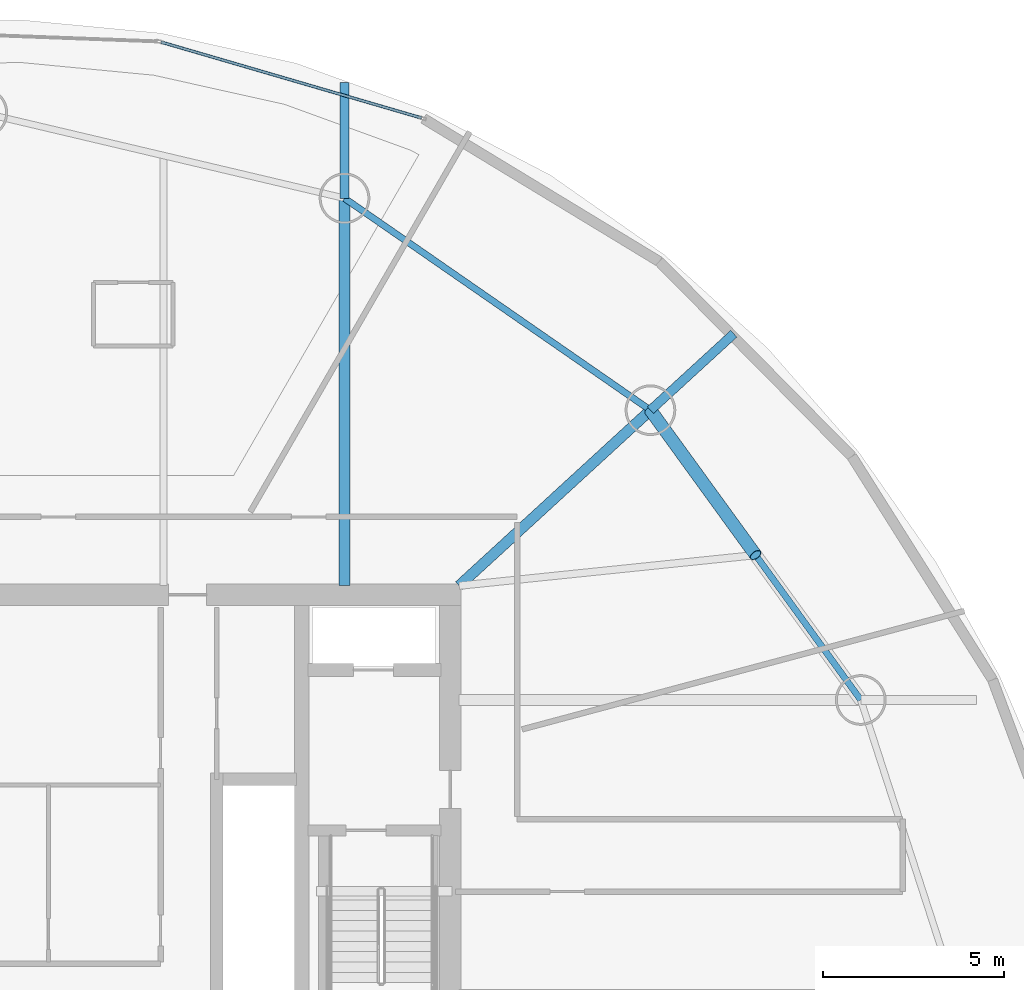
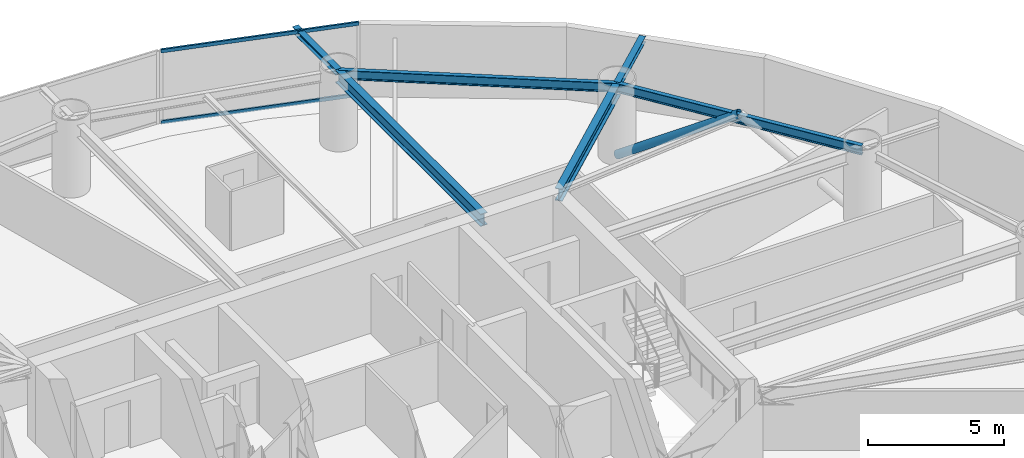
# One storey, part 14 of 22: 6 beams, 3 members, 1 element without a shape of its own.
"""IFC4 building model written with IfcOpenShell, lengths in metres."""

from ifc_helpers import new_model, si_unit, direction, frame, origin, origin_2d, place, context, subcontext, project, spatial, hollow_rectangle, hollow_circle, i_section, extrude, material, layer, layer_set, material_profile, profile_set, type_object, element, aggregate, save


model = new_model("IFC4")

# Units and contexts
model_context = context("Model", 3, precision=1e-05, world=origin(), true_north=direction((0.0, 1.0)))
body_context = subcontext(model_context, "Body", "Model", "MODEL_VIEW")
ifc_project = project(units=[si_unit("LENGTHUNIT", "METRE"), si_unit("AREAUNIT", "SQUARE_METRE"), si_unit("VOLUMEUNIT", "CUBIC_METRE"), si_unit("PLANEANGLEUNIT", "RADIAN"), si_unit("MASSUNIT", "GRAM", prefix="KILO")], contexts=[model_context])

# Site, building, storey
site_placement = place(None, origin())
site = spatial("IfcSite", under=ifc_project, at=site_placement, CompositionType="ELEMENT")
building_placement = place(site_placement, origin())
building = spatial("IfcBuilding", under=site, at=building_placement, Name="Bramvorn Convention Spire", CompositionType="ELEMENT")
storey_placement = place(building_placement, frame((0.0, 0.0, 127.300048828125)))
storey = spatial("IfcBuildingStorey", under=building, at=storey_placement, Name="L31", CompositionType="ELEMENT", Elevation=127.300048828125)

# Beams
ifc_material_1 = material(Name="Steel CSA G40.21 Grade 350 (350W)", Category="steel")
ifc_material_profile_1 = material_profile(ifc_material_1, i_section(OverallWidth=0.25390625, OverallDepth=0.2529296875, WebThickness=0.008544921875, FlangeThickness=0.01416015625, FilletRadius=0.011962890625, at=origin_2d()))
ifc_profile_set_1 = profile_set([ifc_material_profile_1], Name="Steel CSA G40.21 Grade 350 (350W) - W250X73")
beam_type_1 = type_object("IfcBeamType", Name="BM-W250X73", PredefinedType="BEAM", material=ifc_profile_set_1)
beam_1_placement = place(storey_placement, frame((54.534912109375, 38.299072265625, 3.133544921875), z_axis=(0.736849176292, 0.676057165777, 0.0), x_axis=(-0.676057165777, 0.736849176292, 0.0)))
element("IfcBeam", 1, at=beam_1_placement, inside=storey, type_object=beam_type_1, Name="L31 slab-edge cantilever tip beam MC04", PredefinedType="BEAM", context=body_context, shape_type="SweptSolid", body=[
    extrude(i_section(OverallWidth=0.25390625, OverallDepth=0.2529296875, WebThickness=0.008544921875, FlangeThickness=0.01416015625, FilletRadius=0.011962890625, at=origin_2d()), origin(), (0.0, 0.0, 1.0), 3.12451171875),
])
beam_2_placement = place(storey_placement, frame((46.082763671875, 44.154052734375, 3.133544921875), z_axis=(0.0, 1.0, 0.0), x_axis=(-1.0, 0.0, 0.0)))
element("IfcBeam", 2, at=beam_2_placement, inside=storey, type_object=beam_type_1, Name="L31 slab-edge cantilever tip beam MC05", PredefinedType="BEAM", context=body_context, shape_type="SweptSolid", body=[
    extrude(i_section(OverallWidth=0.25390625, OverallDepth=0.2529296875, WebThickness=0.008544921875, FlangeThickness=0.01416015625, FilletRadius=0.011962890625, at=origin_2d()), origin(), (0.0, 0.0, 1.0), 3.199951171875),
])
ifc_material_profile_2 = material_profile(ifc_material_1, i_section(OverallWidth=0.180908203125, OverallDepth=0.4169921875, WebThickness=0.010986328125, FlangeThickness=0.018310546875, FilletRadius=0.01611328125, at=origin_2d()))
ifc_profile_set_2 = profile_set([ifc_material_profile_2], Name="Steel CSA G40.21 Grade 350 (350W) - W410X85")
beam_type_2 = type_object("IfcBeamType", Name="BM-W410X85", PredefinedType="JOIST", material=ifc_profile_set_2)
beam_3_placement = place(storey_placement, frame((60.345703125, 30.293212890625, 3.051513671875), z_axis=(-0.587401024629, 0.809296012757, 0.0), x_axis=(-0.809296012757, -0.587401024629, 0.0)))
element("IfcBeam", 3, at=beam_3_placement, inside=storey, type_object=beam_type_2, Name="L31 mega-column ring beam 03", PredefinedType="JOIST", context=body_context, shape_type="SweptSolid", body=[
    extrude(i_section(OverallWidth=0.180908203125, OverallDepth=0.4169921875, WebThickness=0.010986328125, FlangeThickness=0.018310546875, FilletRadius=0.01611328125, at=origin_2d()), origin(), (0.0, 0.0, 1.0), 9.892333984375),
])
beam_4_placement = place(storey_placement, frame((54.534912109375, 38.299072265625, 3.051513671875), z_axis=(-0.822033166673, 0.569439613032, 0.0), x_axis=(-0.569439613032, -0.822033166673, 0.0)))
element("IfcBeam", 4, at=beam_4_placement, inside=storey, type_object=beam_type_2, Name="L31 mega-column ring beam 04", PredefinedType="JOIST", context=body_context, shape_type="SweptSolid", body=[
    extrude(i_section(OverallWidth=0.180908203125, OverallDepth=0.4169921875, WebThickness=0.010986328125, FlangeThickness=0.018310546875, FilletRadius=0.01611328125, at=origin_2d()), origin(), (0.0, 0.0, 1.0), 10.281982421875),
])
ifc_material_profile_3 = material_profile(ifc_material_1, i_section(OverallWidth=0.2919921875, OverallDepth=0.551025390625, WebThickness=0.01513671875, FlangeThickness=0.0244140625, FilletRadius=0.01904296875, at=origin_2d()))
ifc_profile_set_3 = profile_set([ifc_material_profile_3], Name="Steel CSA G40.21 Grade 350 (350W) - W530X182")
beam_type_3 = type_object("IfcBeamType", Name="BM-W530X182", PredefinedType="BEAM", material=ifc_profile_set_3)
beam_5_placement = place(storey_placement, frame((49.25, 33.449951171875, 2.984375), z_axis=(0.736833323746, 0.676074443399, 0.0), x_axis=(-0.676074443399, 0.736833323746, 0.0)))
element("IfcBeam", 5, at=beam_5_placement, inside=storey, type_object=beam_type_3, Name="L31 radial floor girder MC04", PredefinedType="BEAM", context=body_context, shape_type="SweptSolid", body=[
    extrude(i_section(OverallWidth=0.2919921875, OverallDepth=0.551025390625, WebThickness=0.01513671875, FlangeThickness=0.0244140625, FilletRadius=0.01904296875, at=origin_2d()), origin(), (0.0, 0.0, 1.0), 7.17236328125),
])
beam_6_placement = place(storey_placement, frame((46.082763671875, 33.449951171875, 2.984375), z_axis=(0.0, 1.0, 0.0), x_axis=(-1.0, 0.0, 0.0)))
element("IfcBeam", 6, at=beam_6_placement, inside=storey, type_object=beam_type_3, Name="L31 radial floor girder MC05", PredefinedType="BEAM", context=body_context, shape_type="SweptSolid", body=[
    extrude(i_section(OverallWidth=0.2919921875, OverallDepth=0.551025390625, WebThickness=0.01513671875, FlangeThickness=0.0244140625, FilletRadius=0.01904296875, at=origin_2d()), origin(), (0.0, 0.0, 1.0), 10.7041015625),
])

# Curtain wall, members
ifc_material_2 = material(Name="Anodised Bronze Unitised Curtain Wall", Category="aluminium")
ifc_layer = layer(ifc_material_2, 0.179931640625)
ifc_layer_set = layer_set([ifc_layer], Name="Anodised Bronze Unitised Curtain Wall - CW-HTL-FRIT")
curtain_wall_type = type_object("IfcCurtainWallType", Name="CW-HTL-FRIT", PredefinedType="USERDEFINED", material=ifc_layer_set)
curtain_wall_placement = place(storey_placement, origin())
curtain_wall = element("IfcCurtainWall", 7, at=curtain_wall_placement, inside=storey, type_object=curtain_wall_type, Name="L31 fritted glass curtain wall 07", ObjectType="UNITISED CURTAIN WALL", PredefinedType="USERDEFINED")
ifc_material_3 = material(Name="Anodised Bronze Aluminium 6063-T6", Category="aluminium")
ifc_material_profile_4 = material_profile(ifc_material_3, hollow_rectangle(XDim=0.080078125, YDim=0.159912109375, WallThickness=0.00390625, InnerFilletRadius=0.0009765625, OuterFilletRadius=0.00390625, at=origin_2d()))
ifc_profile_set_4 = profile_set([ifc_material_profile_4], Name="Anodised Bronze Aluminium 6063-T6 - CWT80X160")
member_type_1 = type_object("IfcMemberType", Name="CW-TRN-150", PredefinedType="USERDEFINED", material=ifc_profile_set_4)
member_1_placement = place(storey_placement, frame((41.011962890625, 48.47021484375, 0.030029296875), z_axis=(0.960036826264, -0.279873707619, 0.0), x_axis=(0.279873707619, 0.960036826264, 0.0)))
member_1 = element("IfcMember", 8, at=member_1_placement, type_object=member_type_1, Name="CW2 transom 1.1", ObjectType="TRANSOM", PredefinedType="USERDEFINED", context=body_context, shape_type="SweptSolid", body=[
    extrude(hollow_rectangle(XDim=0.080078125, YDim=0.159912109375, WallThickness=0.00390625, InnerFilletRadius=0.0009765625, OuterFilletRadius=0.00390625, at=origin_2d()), origin(), (0.0, 0.0, 1.0), 7.49755859375),
])
member_2_placement = place(storey_placement, frame((41.011962890625, 48.47021484375, 3.22998046875), z_axis=(0.960036826264, -0.279873707619, 0.0), x_axis=(0.279873707619, 0.960036826264, 0.0)))
member_2 = element("IfcMember", 9, at=member_2_placement, type_object=member_type_1, Name="CW2 transom 1.2", ObjectType="TRANSOM", PredefinedType="USERDEFINED", context=body_context, shape_type="SweptSolid", body=[
    extrude(hollow_rectangle(XDim=0.080078125, YDim=0.159912109375, WallThickness=0.00390625, InnerFilletRadius=0.0009765625, OuterFilletRadius=0.00390625, at=origin_2d()), origin(), (0.0, 0.0, 1.0), 7.49755859375),
])
aggregate(curtain_wall, [member_1, member_2])

# Member
ifc_material_profile_5 = material_profile(ifc_material_1, hollow_circle(Radius=0.177734375, WallThickness=0.015869140625, at=origin_2d()))
ifc_profile_set_5 = profile_set([ifc_material_profile_5], Name="Steel CSA G40.21 Grade 350 (350W) - CHS356X16")
member_type_2 = type_object("IfcMemberType", Name="MBR-CHS356X16", PredefinedType="BRACE", material=ifc_profile_set_5)
member_3_placement = place(storey_placement, frame((54.534912109375, 38.299072265625, 0.0), z_axis=(0.490438622602, -0.67573375262, 0.550321590555), x_axis=(0.809307745024, 0.587384860074, 0.0)))
element("IfcMember", 10, at=member_3_placement, inside=storey, type_object=member_type_2, Name="L31 perimeter Gothic lancet brace 3B", PredefinedType="BRACE", context=body_context, shape_type="SweptSolid", body=[
    extrude(hollow_circle(Radius=0.177734375, WallThickness=0.015869140625, at=origin_2d()), origin(), (0.0, 0.0, 1.0), 5.923828125),
])

save(model, "model.ifc")
